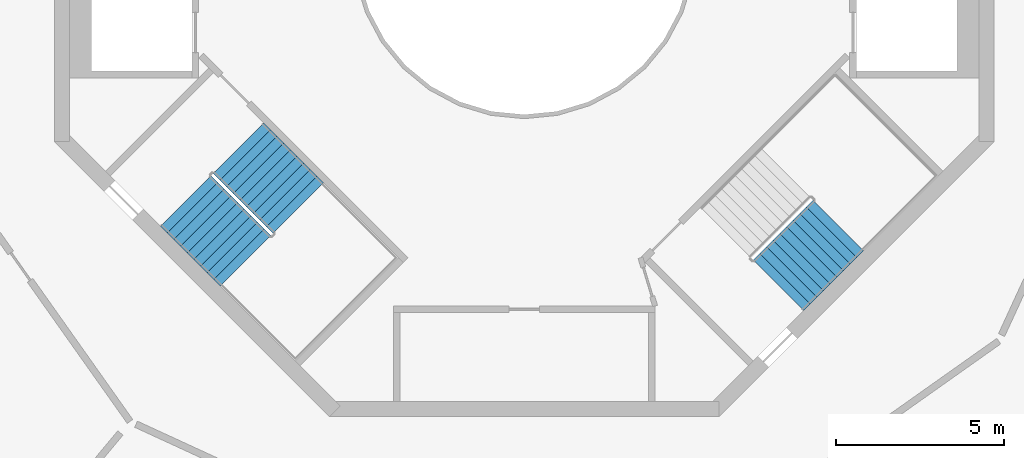
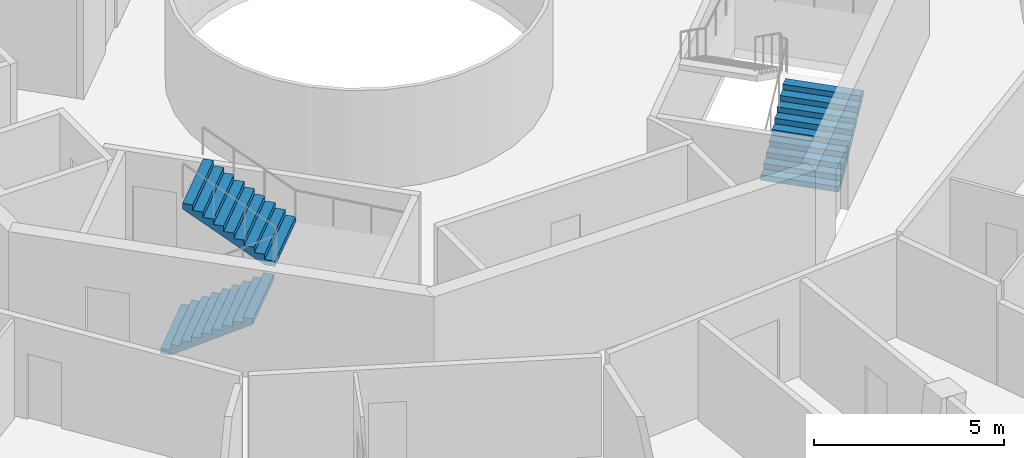
# One storey, part 23 of 25: 3 stair flights, 2 elements without a shape of their own.
"""IFC4 building model written with IfcOpenShell, lengths in metres."""

from ifc_helpers import new_model, si_unit, direction, frame, origin, place, context, subcontext, project, spatial, triangles, material, type_object, element, aggregate, save


model = new_model("IFC4")

# Units and contexts
model_context = context("Model", 3, precision=1e-05, world=origin(), true_north=direction((0.0, 1.0)))
body_context = subcontext(model_context, "Body", "Model", "MODEL_VIEW")
ifc_project = project(units=[si_unit("LENGTHUNIT", "METRE"), si_unit("AREAUNIT", "SQUARE_METRE"), si_unit("VOLUMEUNIT", "CUBIC_METRE"), si_unit("PLANEANGLEUNIT", "RADIAN"), si_unit("MASSUNIT", "GRAM", prefix="KILO")], contexts=[model_context])

# Site, building, storey
site_placement = place(None, origin())
site = spatial("IfcSite", under=ifc_project, at=site_placement, CompositionType="ELEMENT")
building_placement = place(site_placement, origin())
building = spatial("IfcBuilding", under=site, at=building_placement, Name="Verdalira Terraces Hotel", CompositionType="ELEMENT")
storey_placement = place(building_placement, frame((0.0, 0.0, 299.5)))
storey = spatial("IfcBuildingStorey", under=building, at=storey_placement, Name="L74", CompositionType="ELEMENT", Elevation=299.5)

# Stair, stair flights
ifc_material_1 = material(Name="Concrete C40", Category="concrete")
stair_type = type_object("IfcStairType", Name="Core stair 20 risers 2125 mm wide", PredefinedType="HALF_TURN_STAIR", material=ifc_material_1)
stair_1_placement = place(storey_placement, origin())
stair_1 = element("IfcStair", 1, at=stair_1_placement, inside=storey, type_object=stair_type, Name="L74 Exit stair ST2", PredefinedType="HALF_TURN_STAIR")
ifc_material_2 = material(Name="Concrete C40", Category="concrete")
stair_flight_type = type_object("IfcStairFlightType", Name="Core stair flight 20 risers 2125 mm wide", PredefinedType="STRAIGHT", material=ifc_material_2)
stair_flight_1_placement = place(storey_placement, frame((-10.085205, -7.574951, 0.0), z_axis=(0.0, 0.0, 1.0), x_axis=(0.707106781, -0.707106781, 0.0)))
stair_flight_1 = element("IfcStairFlight", 2, at=stair_flight_1_placement, type_object=stair_flight_type, Name="ST2 flight 1", NumberOfRisers=10, NumberOfTreads=9, PredefinedType="STRAIGHT", RiserHeight=0.175, TreadLength=0.28, context=body_context, shape_type="Tessellation", body=[
    triangles([(0.0, 1.0625, 0.0), (0.282715, 1.0625, 0.0), (2.52002, 1.0625, 1.398193), (0.0, -1.0625, 0.0), (0.282715, -1.0625, 0.0), (2.52002, -1.0625, 1.398193), (2.52002, 1.0625, 1.574951), (2.23999, 1.0625, 1.574951), (2.52002, -1.0625, 1.574951), (2.23999, -1.0625, 1.574951), (2.23999, 1.0625, 1.399902), (2.23999, -1.0625, 1.399902), (1.959961, 1.0625, 1.399902), (1.959961, -1.0625, 1.399902), (1.959961, 1.0625, 1.225098), (1.959961, -1.0625, 1.225098), (1.679932, 1.0625, 1.225098), (1.679932, 1.0625, 1.050049), (1.679932, -1.0625, 1.225098), (1.679932, -1.0625, 1.050049), (1.399902, 1.0625, 1.050049), (1.399902, 1.0625, 0.875), (1.399902, -1.0625, 1.050049), (1.399902, -1.0625, 0.875), (1.120117, 1.0625, 0.875), (1.120117, 1.0625, 0.699951), (1.120117, -1.0625, 0.875), (1.120117, -1.0625, 0.699951), (0.840088, 1.0625, 0.699951), (0.840088, 1.0625, 0.524902), (0.840088, -1.0625, 0.699951), (0.840088, -1.0625, 0.524902), (0.560059, 1.0625, 0.524902), (0.560059, 1.0625, 0.350098), (0.560059, -1.0625, 0.524902), (0.560059, -1.0625, 0.350098), (0.280029, 1.0625, 0.350098), (0.280029, 1.0625, 0.175049), (0.280029, -1.0625, 0.350098), (0.280029, -1.0625, 0.175049), (0.0, 1.0625, 0.175049), (0.0, -1.0625, 0.175049), (0.0, -0.996094, 0.0), (0.0, -0.996094, 0.175049), (0.0, -0.929688, 0.0), (0.0, -0.929688, 0.175049), (0.0, -0.863281, 0.0), (0.0, -0.863281, 0.175049), (0.0, -0.796875, 0.0), (0.0, -0.796875, 0.175049), (0.0, -0.730469, 0.0), (0.0, -0.730469, 0.175049), (0.0, -0.664062, 0.0), (0.0, -0.664062, 0.175049), (0.0, -0.597656, 0.0), (0.0, -0.597656, 0.175049), (0.0, -0.53125, 0.0), (0.0, -0.53125, 0.175049), (0.0, -0.464844, 0.0), (0.0, -0.464844, 0.175049), (0.0, -0.398438, 0.0), (0.0, -0.398438, 0.175049), (0.0, -0.332031, 0.0), (0.0, -0.332031, 0.175049), (0.0, -0.265625, 0.0), (0.0, -0.265625, 0.175049), (0.0, -0.199219, 0.0), (0.0, -0.199219, 0.175049), (0.0, -0.132812, 0.0), (0.0, -0.132812, 0.175049), (0.0, -0.066406, 0.0), (0.0, -0.066406, 0.175049), (0.0, 0.0, 0.0), (0.0, 0.0, 0.175049), (0.0, 0.066406, 0.0), (0.0, 0.066406, 0.175049), (0.0, 0.132812, 0.0), (0.0, 0.132812, 0.175049), (0.0, 0.199219, 0.0), (0.0, 0.199219, 0.175049), (0.0, 0.265625, 0.0), (0.0, 0.265625, 0.175049), (0.0, 0.332031, 0.0), (0.0, 0.332031, 0.175049), (0.0, 0.398438, 0.0), (0.0, 0.398438, 0.175049), (0.0, 0.464844, 0.0), (0.0, 0.464844, 0.175049), (0.0, 0.53125, 0.0), (0.0, 0.53125, 0.175049), (0.0, 0.597656, 0.0), (0.0, 0.597656, 0.175049), (0.0, 0.664062, 0.0), (0.0, 0.664062, 0.175049), (0.0, 0.730469, 0.0), (0.0, 0.730469, 0.175049), (0.0, 0.796875, 0.0), (0.0, 0.796875, 0.175049), (0.0, 0.863281, 0.0), (0.0, 0.863281, 0.175049), (0.0, 0.929688, 0.0), (0.0, 0.929688, 0.175049), (0.0, 0.996094, 0.0), (0.0, 0.996094, 0.175049), (2.52002, -0.996094, 1.574951), (2.52002, -0.929688, 1.574951), (2.52002, -0.863281, 1.574951), (2.52002, -0.796875, 1.574951), (2.52002, -0.730469, 1.574951), (2.52002, -0.664062, 1.574951), (2.52002, -0.597656, 1.574951), (2.52002, -0.53125, 1.574951), (2.52002, -0.464844, 1.574951), (2.52002, -0.398438, 1.574951), (2.52002, -0.332031, 1.574951), (2.52002, -0.265625, 1.574951), (2.52002, -0.199219, 1.574951), (2.52002, -0.132812, 1.574951), (2.52002, -0.066406, 1.574951), (2.52002, 0.0, 1.574951), (2.52002, 0.066406, 1.574951), (2.52002, 0.132812, 1.574951), (2.52002, 0.199219, 1.574951), (2.52002, 0.265625, 1.574951), (2.52002, 0.332031, 1.574951), (2.52002, 0.398438, 1.574951), (2.52002, 0.464844, 1.574951), (2.52002, 0.53125, 1.574951), (2.52002, 0.597656, 1.574951), (2.52002, 0.664062, 1.574951), (2.52002, 0.730469, 1.574951), (2.52002, 0.796875, 1.574951), (2.52002, 0.863281, 1.574951), (2.52002, 0.929688, 1.574951), (2.52002, 0.996094, 1.574951), (2.52002, -0.996094, 1.398193), (2.52002, -0.929688, 1.398193), (2.52002, -0.863281, 1.398193), (2.52002, -0.796875, 1.398193), (2.52002, -0.730469, 1.398193), (2.52002, -0.664062, 1.398193), (2.52002, -0.597656, 1.398193), (2.52002, -0.53125, 1.398193), (2.52002, -0.464844, 1.398193), (2.52002, -0.398438, 1.398193), (2.52002, -0.332031, 1.398193), (2.52002, -0.265625, 1.398193), (2.52002, -0.199219, 1.398193), (2.52002, -0.132812, 1.398193), (2.52002, -0.066406, 1.398193), (2.52002, 0.0, 1.398193), (2.52002, 0.066406, 1.398193), (2.52002, 0.132812, 1.398193), (2.52002, 0.199219, 1.398193), (2.52002, 0.265625, 1.398193), (2.52002, 0.332031, 1.398193), (2.52002, 0.398438, 1.398193), (2.52002, 0.464844, 1.398193), (2.52002, 0.53125, 1.398193), (2.52002, 0.597656, 1.398193), (2.52002, 0.664062, 1.398193), (2.52002, 0.730469, 1.398193), (2.52002, 0.796875, 1.398193), (2.52002, 0.863281, 1.398193), (2.52002, 0.929688, 1.398193), (2.52002, 0.996094, 1.398193)], [[1, 3, 2], [4, 5, 6], [3, 8, 7], [6, 9, 10], [3, 11, 8], [6, 10, 12], [3, 13, 11], [6, 12, 14], [3, 15, 13], [6, 14, 16], [15, 18, 17], [16, 19, 20], [3, 18, 15], [6, 16, 20], [18, 22, 21], [20, 23, 24], [3, 22, 18], [6, 20, 24], [22, 26, 25], [24, 27, 28], [3, 26, 22], [6, 24, 28], [26, 30, 29], [28, 31, 32], [3, 30, 26], [6, 28, 32], [1, 30, 3], [4, 6, 32], [30, 34, 33], [32, 35, 36], [34, 38, 37], [36, 39, 40], [30, 38, 34], [32, 36, 40], [1, 38, 30], [4, 32, 40], [38, 1, 41], [40, 42, 4], [4, 44, 43], [4, 42, 44], [43, 46, 45], [43, 44, 46], [45, 48, 47], [45, 46, 48], [47, 50, 49], [47, 48, 50], [49, 52, 51], [49, 50, 52], [51, 54, 53], [51, 52, 54], [53, 56, 55], [53, 54, 56], [55, 58, 57], [55, 56, 58], [57, 60, 59], [57, 58, 60], [59, 62, 61], [59, 60, 62], [61, 64, 63], [61, 62, 64], [63, 66, 65], [63, 64, 66], [65, 68, 67], [65, 66, 68], [67, 70, 69], [67, 68, 70], [69, 72, 71], [69, 70, 72], [71, 74, 73], [71, 72, 74], [73, 76, 75], [73, 74, 76], [75, 78, 77], [75, 76, 78], [77, 80, 79], [77, 78, 80], [79, 82, 81], [79, 80, 82], [81, 84, 83], [81, 82, 84], [83, 86, 85], [83, 84, 86], [85, 88, 87], [85, 86, 88], [87, 90, 89], [87, 88, 90], [89, 92, 91], [89, 90, 92], [91, 94, 93], [91, 92, 94], [93, 96, 95], [93, 94, 96], [95, 98, 97], [95, 96, 98], [97, 100, 99], [97, 98, 100], [99, 102, 101], [99, 100, 102], [101, 104, 103], [101, 102, 104], [103, 41, 1], [103, 104, 41], [42, 40, 44], [44, 40, 46], [46, 40, 48], [48, 40, 50], [50, 40, 52], [52, 40, 54], [54, 40, 56], [56, 40, 58], [58, 40, 60], [60, 40, 62], [62, 40, 64], [64, 40, 66], [66, 40, 68], [68, 40, 70], [70, 40, 72], [72, 40, 74], [74, 40, 76], [76, 40, 78], [78, 40, 80], [80, 40, 82], [82, 40, 84], [84, 40, 86], [86, 40, 88], [88, 40, 90], [90, 40, 92], [92, 40, 94], [94, 40, 96], [96, 40, 98], [98, 40, 100], [100, 40, 102], [102, 40, 104], [104, 40, 41], [41, 40, 38], [40, 37, 38], [40, 39, 37], [39, 34, 37], [39, 36, 34], [36, 33, 34], [36, 35, 33], [35, 30, 33], [35, 32, 30], [32, 29, 30], [32, 31, 29], [31, 26, 29], [31, 28, 26], [28, 25, 26], [28, 27, 25], [27, 22, 25], [27, 24, 22], [24, 21, 22], [24, 23, 21], [23, 18, 21], [23, 20, 18], [20, 17, 18], [20, 19, 17], [19, 15, 17], [19, 16, 15], [16, 13, 15], [16, 14, 13], [14, 11, 13], [14, 12, 11], [12, 8, 11], [12, 10, 8], [9, 105, 10], [105, 106, 10], [106, 107, 10], [107, 108, 10], [108, 109, 10], [109, 110, 10], [110, 111, 10], [111, 112, 10], [112, 113, 10], [113, 114, 10], [114, 115, 10], [115, 116, 10], [116, 117, 10], [117, 118, 10], [118, 119, 10], [119, 120, 10], [120, 121, 10], [121, 122, 10], [122, 123, 10], [123, 124, 10], [124, 125, 10], [125, 126, 10], [126, 127, 10], [127, 128, 10], [128, 129, 10], [129, 130, 10], [130, 131, 10], [131, 132, 10], [132, 133, 10], [133, 134, 10], [134, 135, 10], [135, 7, 10], [7, 8, 10], [9, 136, 105], [9, 6, 136], [105, 137, 106], [105, 136, 137], [106, 138, 107], [106, 137, 138], [107, 139, 108], [107, 138, 139], [108, 140, 109], [108, 139, 140], [109, 141, 110], [109, 140, 141], [110, 142, 111], [110, 141, 142], [111, 143, 112], [111, 142, 143], [112, 144, 113], [112, 143, 144], [113, 145, 114], [113, 144, 145], [114, 146, 115], [114, 145, 146], [115, 147, 116], [115, 146, 147], [116, 148, 117], [116, 147, 148], [117, 149, 118], [117, 148, 149], [118, 150, 119], [118, 149, 150], [119, 151, 120], [119, 150, 151], [120, 152, 121], [120, 151, 152], [121, 153, 122], [121, 152, 153], [122, 154, 123], [122, 153, 154], [123, 155, 124], [123, 154, 155], [124, 156, 125], [124, 155, 156], [125, 157, 126], [125, 156, 157], [126, 158, 127], [126, 157, 158], [127, 159, 128], [127, 158, 159], [128, 160, 129], [128, 159, 160], [129, 161, 130], [129, 160, 161], [130, 162, 131], [130, 161, 162], [131, 163, 132], [131, 162, 163], [132, 164, 133], [132, 163, 164], [133, 165, 134], [133, 164, 165], [134, 166, 135], [134, 165, 166], [135, 3, 7], [135, 166, 3], [6, 5, 136], [136, 5, 137], [137, 5, 138], [138, 5, 139], [139, 5, 140], [140, 5, 141], [141, 5, 142], [142, 5, 143], [143, 5, 144], [144, 5, 145], [145, 5, 146], [146, 5, 147], [147, 5, 148], [148, 5, 149], [149, 5, 150], [150, 5, 151], [151, 5, 152], [152, 5, 153], [153, 5, 154], [154, 5, 155], [155, 5, 156], [156, 5, 157], [157, 5, 158], [158, 5, 159], [159, 5, 160], [160, 5, 161], [161, 5, 162], [162, 5, 163], [163, 5, 164], [164, 5, 165], [165, 5, 166], [166, 5, 3], [3, 5, 2], [4, 43, 5], [43, 45, 5], [45, 47, 5], [47, 49, 5], [49, 51, 5], [51, 53, 5], [53, 55, 5], [55, 57, 5], [57, 59, 5], [59, 61, 5], [61, 63, 5], [63, 65, 5], [65, 67, 5], [67, 69, 5], [69, 71, 5], [71, 73, 5], [73, 75, 5], [75, 77, 5], [77, 79, 5], [79, 81, 5], [81, 83, 5], [83, 85, 5], [85, 87, 5], [87, 89, 5], [89, 91, 5], [91, 93, 5], [93, 95, 5], [95, 97, 5], [97, 99, 5], [99, 101, 5], [101, 103, 5], [103, 1, 5], [1, 2, 5]], closed=True),
])
stair_flight_2_placement = place(storey_placement, frame((-6.72998, -7.783447, 1.75), z_axis=(0.0, 0.0, 1.0), x_axis=(-0.707106781, 0.707106781, 0.0)))
stair_flight_2 = element("IfcStairFlight", 3, at=stair_flight_2_placement, type_object=stair_flight_type, Name="ST2 flight 2", NumberOfRisers=10, NumberOfTreads=9, PredefinedType="STRAIGHT", RiserHeight=0.175, TreadLength=0.28, context=body_context, shape_type="Tessellation", body=[
    triangles([(0.0, 1.0625, 0.0), (0.282715, 1.0625, 0.0), (2.52002, 1.0625, 1.398193), (0.0, -1.0625, 0.0), (0.282715, -1.0625, 0.0), (2.52002, -1.0625, 1.398193), (2.52002, 1.0625, 1.574951), (2.23999, 1.0625, 1.574951), (2.52002, -1.0625, 1.574951), (2.23999, -1.0625, 1.574951), (2.23999, 1.0625, 1.399902), (2.23999, -1.0625, 1.399902), (1.959961, 1.0625, 1.399902), (1.959961, -1.0625, 1.399902), (1.959961, 1.0625, 1.225098), (1.959961, -1.0625, 1.225098), (1.679932, 1.0625, 1.225098), (1.679932, 1.0625, 1.050049), (1.679932, -1.0625, 1.225098), (1.679932, -1.0625, 1.050049), (1.399902, 1.0625, 1.050049), (1.399902, 1.0625, 0.875), (1.399902, -1.0625, 1.050049), (1.399902, -1.0625, 0.875), (1.120117, 1.0625, 0.875), (1.120117, 1.0625, 0.699951), (1.120117, -1.0625, 0.875), (1.120117, -1.0625, 0.699951), (0.840088, 1.0625, 0.699951), (0.840088, 1.0625, 0.524902), (0.840088, -1.0625, 0.699951), (0.840088, -1.0625, 0.524902), (0.560059, 1.0625, 0.524902), (0.560059, 1.0625, 0.350098), (0.560059, -1.0625, 0.524902), (0.560059, -1.0625, 0.350098), (0.280029, 1.0625, 0.350098), (0.280029, 1.0625, 0.175049), (0.280029, -1.0625, 0.350098), (0.280029, -1.0625, 0.175049), (0.0, 1.0625, 0.175049), (0.0, -1.0625, 0.175049), (0.0, -0.996094, 0.0), (0.0, -0.996094, 0.175049), (0.0, -0.929688, 0.0), (0.0, -0.929688, 0.175049), (0.0, -0.863281, 0.0), (0.0, -0.863281, 0.175049), (0.0, -0.796875, 0.0), (0.0, -0.796875, 0.175049), (0.0, -0.730469, 0.0), (0.0, -0.730469, 0.175049), (0.0, -0.664062, 0.0), (0.0, -0.664062, 0.175049), (0.0, -0.597656, 0.0), (0.0, -0.597656, 0.175049), (0.0, -0.53125, 0.0), (0.0, -0.53125, 0.175049), (0.0, -0.464844, 0.0), (0.0, -0.464844, 0.175049), (0.0, -0.398438, 0.0), (0.0, -0.398438, 0.175049), (0.0, -0.332031, 0.0), (0.0, -0.332031, 0.175049), (0.0, -0.265625, 0.0), (0.0, -0.265625, 0.175049), (0.0, -0.199219, 0.0), (0.0, -0.199219, 0.175049), (0.0, -0.132812, 0.0), (0.0, -0.132812, 0.175049), (0.0, -0.066406, 0.0), (0.0, -0.066406, 0.175049), (0.0, 0.0, 0.0), (0.0, 0.0, 0.175049), (0.0, 0.066406, 0.0), (0.0, 0.066406, 0.175049), (0.0, 0.132812, 0.0), (0.0, 0.132812, 0.175049), (0.0, 0.199219, 0.0), (0.0, 0.199219, 0.175049), (0.0, 0.265625, 0.0), (0.0, 0.265625, 0.175049), (0.0, 0.332031, 0.0), (0.0, 0.332031, 0.175049), (0.0, 0.398438, 0.0), (0.0, 0.398438, 0.175049), (0.0, 0.464844, 0.0), (0.0, 0.464844, 0.175049), (0.0, 0.53125, 0.0), (0.0, 0.53125, 0.175049), (0.0, 0.597656, 0.0), (0.0, 0.597656, 0.175049), (0.0, 0.664062, 0.0), (0.0, 0.664062, 0.175049), (0.0, 0.730469, 0.0), (0.0, 0.730469, 0.175049), (0.0, 0.796875, 0.0), (0.0, 0.796875, 0.175049), (0.0, 0.863281, 0.0), (0.0, 0.863281, 0.175049), (0.0, 0.929688, 0.0), (0.0, 0.929688, 0.175049), (0.0, 0.996094, 0.0), (0.0, 0.996094, 0.175049), (2.52002, -0.996094, 1.574951), (2.52002, -0.929688, 1.574951), (2.52002, -0.863281, 1.574951), (2.52002, -0.796875, 1.574951), (2.52002, -0.730469, 1.574951), (2.52002, -0.664062, 1.574951), (2.52002, -0.597656, 1.574951), (2.52002, -0.53125, 1.574951), (2.52002, -0.464844, 1.574951), (2.52002, -0.398438, 1.574951), (2.52002, -0.332031, 1.574951), (2.52002, -0.265625, 1.574951), (2.52002, -0.199219, 1.574951), (2.52002, -0.132812, 1.574951), (2.52002, -0.066406, 1.574951), (2.52002, 0.0, 1.574951), (2.52002, 0.066406, 1.574951), (2.52002, 0.132812, 1.574951), (2.52002, 0.199219, 1.574951), (2.52002, 0.265625, 1.574951), (2.52002, 0.332031, 1.574951), (2.52002, 0.398438, 1.574951), (2.52002, 0.464844, 1.574951), (2.52002, 0.53125, 1.574951), (2.52002, 0.597656, 1.574951), (2.52002, 0.664062, 1.574951), (2.52002, 0.730469, 1.574951), (2.52002, 0.796875, 1.574951), (2.52002, 0.863281, 1.574951), (2.52002, 0.929688, 1.574951), (2.52002, 0.996094, 1.574951), (2.52002, -0.996094, 1.398193), (2.52002, -0.929688, 1.398193), (2.52002, -0.863281, 1.398193), (2.52002, -0.796875, 1.398193), (2.52002, -0.730469, 1.398193), (2.52002, -0.664062, 1.398193), (2.52002, -0.597656, 1.398193), (2.52002, -0.53125, 1.398193), (2.52002, -0.464844, 1.398193), (2.52002, -0.398438, 1.398193), (2.52002, -0.332031, 1.398193), (2.52002, -0.265625, 1.398193), (2.52002, -0.199219, 1.398193), (2.52002, -0.132812, 1.398193), (2.52002, -0.066406, 1.398193), (2.52002, 0.0, 1.398193), (2.52002, 0.066406, 1.398193), (2.52002, 0.132812, 1.398193), (2.52002, 0.199219, 1.398193), (2.52002, 0.265625, 1.398193), (2.52002, 0.332031, 1.398193), (2.52002, 0.398438, 1.398193), (2.52002, 0.464844, 1.398193), (2.52002, 0.53125, 1.398193), (2.52002, 0.597656, 1.398193), (2.52002, 0.664062, 1.398193), (2.52002, 0.730469, 1.398193), (2.52002, 0.796875, 1.398193), (2.52002, 0.863281, 1.398193), (2.52002, 0.929688, 1.398193), (2.52002, 0.996094, 1.398193)], [[1, 3, 2], [4, 5, 6], [3, 8, 7], [6, 9, 10], [3, 11, 8], [6, 10, 12], [3, 13, 11], [6, 12, 14], [3, 15, 13], [6, 14, 16], [15, 18, 17], [16, 19, 20], [3, 18, 15], [6, 16, 20], [18, 22, 21], [20, 23, 24], [3, 22, 18], [6, 20, 24], [22, 26, 25], [24, 27, 28], [3, 26, 22], [6, 24, 28], [26, 30, 29], [28, 31, 32], [3, 30, 26], [6, 28, 32], [1, 30, 3], [4, 6, 32], [30, 34, 33], [32, 35, 36], [34, 38, 37], [36, 39, 40], [30, 38, 34], [32, 36, 40], [1, 38, 30], [4, 32, 40], [38, 1, 41], [40, 42, 4], [4, 44, 43], [4, 42, 44], [43, 46, 45], [43, 44, 46], [45, 48, 47], [45, 46, 48], [47, 50, 49], [47, 48, 50], [49, 52, 51], [49, 50, 52], [51, 54, 53], [51, 52, 54], [53, 56, 55], [53, 54, 56], [55, 58, 57], [55, 56, 58], [57, 60, 59], [57, 58, 60], [59, 62, 61], [59, 60, 62], [61, 64, 63], [61, 62, 64], [63, 66, 65], [63, 64, 66], [65, 68, 67], [65, 66, 68], [67, 70, 69], [67, 68, 70], [69, 72, 71], [69, 70, 72], [71, 74, 73], [71, 72, 74], [73, 76, 75], [73, 74, 76], [75, 78, 77], [75, 76, 78], [77, 80, 79], [77, 78, 80], [79, 82, 81], [79, 80, 82], [81, 84, 83], [81, 82, 84], [83, 86, 85], [83, 84, 86], [85, 88, 87], [85, 86, 88], [87, 90, 89], [87, 88, 90], [89, 92, 91], [89, 90, 92], [91, 94, 93], [91, 92, 94], [93, 96, 95], [93, 94, 96], [95, 98, 97], [95, 96, 98], [97, 100, 99], [97, 98, 100], [99, 102, 101], [99, 100, 102], [101, 104, 103], [101, 102, 104], [103, 41, 1], [103, 104, 41], [42, 40, 44], [44, 40, 46], [46, 40, 48], [48, 40, 50], [50, 40, 52], [52, 40, 54], [54, 40, 56], [56, 40, 58], [58, 40, 60], [60, 40, 62], [62, 40, 64], [64, 40, 66], [66, 40, 68], [68, 40, 70], [70, 40, 72], [72, 40, 74], [74, 40, 76], [76, 40, 78], [78, 40, 80], [80, 40, 82], [82, 40, 84], [84, 40, 86], [86, 40, 88], [88, 40, 90], [90, 40, 92], [92, 40, 94], [94, 40, 96], [96, 40, 98], [98, 40, 100], [100, 40, 102], [102, 40, 104], [104, 40, 41], [41, 40, 38], [40, 37, 38], [40, 39, 37], [39, 34, 37], [39, 36, 34], [36, 33, 34], [36, 35, 33], [35, 30, 33], [35, 32, 30], [32, 29, 30], [32, 31, 29], [31, 26, 29], [31, 28, 26], [28, 25, 26], [28, 27, 25], [27, 22, 25], [27, 24, 22], [24, 21, 22], [24, 23, 21], [23, 18, 21], [23, 20, 18], [20, 17, 18], [20, 19, 17], [19, 15, 17], [19, 16, 15], [16, 13, 15], [16, 14, 13], [14, 11, 13], [14, 12, 11], [12, 8, 11], [12, 10, 8], [9, 105, 10], [105, 106, 10], [106, 107, 10], [107, 108, 10], [108, 109, 10], [109, 110, 10], [110, 111, 10], [111, 112, 10], [112, 113, 10], [113, 114, 10], [114, 115, 10], [115, 116, 10], [116, 117, 10], [117, 118, 10], [118, 119, 10], [119, 120, 10], [120, 121, 10], [121, 122, 10], [122, 123, 10], [123, 124, 10], [124, 125, 10], [125, 126, 10], [126, 127, 10], [127, 128, 10], [128, 129, 10], [129, 130, 10], [130, 131, 10], [131, 132, 10], [132, 133, 10], [133, 134, 10], [134, 135, 10], [135, 7, 10], [7, 8, 10], [9, 136, 105], [9, 6, 136], [105, 137, 106], [105, 136, 137], [106, 138, 107], [106, 137, 138], [107, 139, 108], [107, 138, 139], [108, 140, 109], [108, 139, 140], [109, 141, 110], [109, 140, 141], [110, 142, 111], [110, 141, 142], [111, 143, 112], [111, 142, 143], [112, 144, 113], [112, 143, 144], [113, 145, 114], [113, 144, 145], [114, 146, 115], [114, 145, 146], [115, 147, 116], [115, 146, 147], [116, 148, 117], [116, 147, 148], [117, 149, 118], [117, 148, 149], [118, 150, 119], [118, 149, 150], [119, 151, 120], [119, 150, 151], [120, 152, 121], [120, 151, 152], [121, 153, 122], [121, 152, 153], [122, 154, 123], [122, 153, 154], [123, 155, 124], [123, 154, 155], [124, 156, 125], [124, 155, 156], [125, 157, 126], [125, 156, 157], [126, 158, 127], [126, 157, 158], [127, 159, 128], [127, 158, 159], [128, 160, 129], [128, 159, 160], [129, 161, 130], [129, 160, 161], [130, 162, 131], [130, 161, 162], [131, 163, 132], [131, 162, 163], [132, 164, 133], [132, 163, 164], [133, 165, 134], [133, 164, 165], [134, 166, 135], [134, 165, 166], [135, 3, 7], [135, 166, 3], [6, 5, 136], [136, 5, 137], [137, 5, 138], [138, 5, 139], [139, 5, 140], [140, 5, 141], [141, 5, 142], [142, 5, 143], [143, 5, 144], [144, 5, 145], [145, 5, 146], [146, 5, 147], [147, 5, 148], [148, 5, 149], [149, 5, 150], [150, 5, 151], [151, 5, 152], [152, 5, 153], [153, 5, 154], [154, 5, 155], [155, 5, 156], [156, 5, 157], [157, 5, 158], [158, 5, 159], [159, 5, 160], [160, 5, 161], [161, 5, 162], [162, 5, 163], [163, 5, 164], [164, 5, 165], [165, 5, 166], [166, 5, 3], [3, 5, 2], [4, 43, 5], [43, 45, 5], [45, 47, 5], [47, 49, 5], [49, 51, 5], [51, 53, 5], [53, 55, 5], [55, 57, 5], [57, 59, 5], [59, 61, 5], [61, 63, 5], [63, 65, 5], [65, 67, 5], [67, 69, 5], [69, 71, 5], [71, 73, 5], [73, 75, 5], [75, 77, 5], [77, 79, 5], [79, 81, 5], [81, 83, 5], [83, 85, 5], [85, 87, 5], [87, 89, 5], [89, 91, 5], [91, 93, 5], [93, 95, 5], [95, 97, 5], [97, 99, 5], [99, 101, 5], [101, 103, 5], [103, 1, 5], [1, 2, 5]], closed=True),
])
aggregate(stair_1, [stair_flight_1, stair_flight_2])

# Stair, stair flight
stair_2_placement = place(storey_placement, origin())
stair_2 = element("IfcStair", 4, at=stair_2_placement, inside=storey, type_object=stair_type, Name="L74 Exit stair ST3", PredefinedType="HALF_TURN_STAIR")
stair_flight_3_placement = place(storey_placement, frame((7.574951, -10.085205, 0.0), z_axis=(0.0, 0.0, 1.0), x_axis=(0.707106781, 0.707106781, 0.0)))
stair_flight_3 = element("IfcStairFlight", 5, at=stair_flight_3_placement, type_object=stair_flight_type, Name="ST3 flight 1", NumberOfRisers=10, NumberOfTreads=9, PredefinedType="STRAIGHT", RiserHeight=0.175, TreadLength=0.28, context=body_context, shape_type="Tessellation", body=[
    triangles([(0.0, 1.0625, 0.0), (0.282715, 1.0625, 0.0), (2.52002, 1.0625, 1.398193), (0.0, -1.0625, 0.0), (0.282715, -1.0625, 0.0), (2.52002, -1.0625, 1.398193), (2.52002, 1.0625, 1.574951), (2.23999, 1.0625, 1.574951), (2.52002, -1.0625, 1.574951), (2.23999, -1.0625, 1.574951), (2.23999, 1.0625, 1.399902), (2.23999, -1.0625, 1.399902), (1.959961, 1.0625, 1.399902), (1.959961, -1.0625, 1.399902), (1.959961, 1.0625, 1.225098), (1.959961, -1.0625, 1.225098), (1.679932, 1.0625, 1.225098), (1.679932, 1.0625, 1.050049), (1.679932, -1.0625, 1.225098), (1.679932, -1.0625, 1.050049), (1.399902, 1.0625, 1.050049), (1.399902, 1.0625, 0.875), (1.399902, -1.0625, 1.050049), (1.399902, -1.0625, 0.875), (1.120117, 1.0625, 0.875), (1.120117, 1.0625, 0.699951), (1.120117, -1.0625, 0.875), (1.120117, -1.0625, 0.699951), (0.840088, 1.0625, 0.699951), (0.840088, 1.0625, 0.524902), (0.840088, -1.0625, 0.699951), (0.840088, -1.0625, 0.524902), (0.560059, 1.0625, 0.524902), (0.560059, 1.0625, 0.350098), (0.560059, -1.0625, 0.524902), (0.560059, -1.0625, 0.350098), (0.280029, 1.0625, 0.350098), (0.280029, 1.0625, 0.175049), (0.280029, -1.0625, 0.350098), (0.280029, -1.0625, 0.175049), (0.0, 1.0625, 0.175049), (0.0, -1.0625, 0.175049), (0.0, -0.996094, 0.0), (0.0, -0.996094, 0.175049), (0.0, -0.929688, 0.0), (0.0, -0.929688, 0.175049), (0.0, -0.863281, 0.0), (0.0, -0.863281, 0.175049), (0.0, -0.796875, 0.0), (0.0, -0.796875, 0.175049), (0.0, -0.730469, 0.0), (0.0, -0.730469, 0.175049), (0.0, -0.664062, 0.0), (0.0, -0.664062, 0.175049), (0.0, -0.597656, 0.0), (0.0, -0.597656, 0.175049), (0.0, -0.53125, 0.0), (0.0, -0.53125, 0.175049), (0.0, -0.464844, 0.0), (0.0, -0.464844, 0.175049), (0.0, -0.398438, 0.0), (0.0, -0.398438, 0.175049), (0.0, -0.332031, 0.0), (0.0, -0.332031, 0.175049), (0.0, -0.265625, 0.0), (0.0, -0.265625, 0.175049), (0.0, -0.199219, 0.0), (0.0, -0.199219, 0.175049), (0.0, -0.132812, 0.0), (0.0, -0.132812, 0.175049), (0.0, -0.066406, 0.0), (0.0, -0.066406, 0.175049), (0.0, 0.0, 0.0), (0.0, 0.0, 0.175049), (0.0, 0.066406, 0.0), (0.0, 0.066406, 0.175049), (0.0, 0.132812, 0.0), (0.0, 0.132812, 0.175049), (0.0, 0.199219, 0.0), (0.0, 0.199219, 0.175049), (0.0, 0.265625, 0.0), (0.0, 0.265625, 0.175049), (0.0, 0.332031, 0.0), (0.0, 0.332031, 0.175049), (0.0, 0.398438, 0.0), (0.0, 0.398438, 0.175049), (0.0, 0.464844, 0.0), (0.0, 0.464844, 0.175049), (0.0, 0.53125, 0.0), (0.0, 0.53125, 0.175049), (0.0, 0.597656, 0.0), (0.0, 0.597656, 0.175049), (0.0, 0.664062, 0.0), (0.0, 0.664062, 0.175049), (0.0, 0.730469, 0.0), (0.0, 0.730469, 0.175049), (0.0, 0.796875, 0.0), (0.0, 0.796875, 0.175049), (0.0, 0.863281, 0.0), (0.0, 0.863281, 0.175049), (0.0, 0.929688, 0.0), (0.0, 0.929688, 0.175049), (0.0, 0.996094, 0.0), (0.0, 0.996094, 0.175049), (2.52002, -0.996094, 1.574951), (2.52002, -0.929688, 1.574951), (2.52002, -0.863281, 1.574951), (2.52002, -0.796875, 1.574951), (2.52002, -0.730469, 1.574951), (2.52002, -0.664062, 1.574951), (2.52002, -0.597656, 1.574951), (2.52002, -0.53125, 1.574951), (2.52002, -0.464844, 1.574951), (2.52002, -0.398438, 1.574951), (2.52002, -0.332031, 1.574951), (2.52002, -0.265625, 1.574951), (2.52002, -0.199219, 1.574951), (2.52002, -0.132812, 1.574951), (2.52002, -0.066406, 1.574951), (2.52002, 0.0, 1.574951), (2.52002, 0.066406, 1.574951), (2.52002, 0.132812, 1.574951), (2.52002, 0.199219, 1.574951), (2.52002, 0.265625, 1.574951), (2.52002, 0.332031, 1.574951), (2.52002, 0.398438, 1.574951), (2.52002, 0.464844, 1.574951), (2.52002, 0.53125, 1.574951), (2.52002, 0.597656, 1.574951), (2.52002, 0.664062, 1.574951), (2.52002, 0.730469, 1.574951), (2.52002, 0.796875, 1.574951), (2.52002, 0.863281, 1.574951), (2.52002, 0.929688, 1.574951), (2.52002, 0.996094, 1.574951), (2.52002, -0.996094, 1.398193), (2.52002, -0.929688, 1.398193), (2.52002, -0.863281, 1.398193), (2.52002, -0.796875, 1.398193), (2.52002, -0.730469, 1.398193), (2.52002, -0.664062, 1.398193), (2.52002, -0.597656, 1.398193), (2.52002, -0.53125, 1.398193), (2.52002, -0.464844, 1.398193), (2.52002, -0.398438, 1.398193), (2.52002, -0.332031, 1.398193), (2.52002, -0.265625, 1.398193), (2.52002, -0.199219, 1.398193), (2.52002, -0.132812, 1.398193), (2.52002, -0.066406, 1.398193), (2.52002, 0.0, 1.398193), (2.52002, 0.066406, 1.398193), (2.52002, 0.132812, 1.398193), (2.52002, 0.199219, 1.398193), (2.52002, 0.265625, 1.398193), (2.52002, 0.332031, 1.398193), (2.52002, 0.398438, 1.398193), (2.52002, 0.464844, 1.398193), (2.52002, 0.53125, 1.398193), (2.52002, 0.597656, 1.398193), (2.52002, 0.664062, 1.398193), (2.52002, 0.730469, 1.398193), (2.52002, 0.796875, 1.398193), (2.52002, 0.863281, 1.398193), (2.52002, 0.929688, 1.398193), (2.52002, 0.996094, 1.398193)], [[1, 3, 2], [4, 5, 6], [3, 8, 7], [6, 9, 10], [3, 11, 8], [6, 10, 12], [3, 13, 11], [6, 12, 14], [3, 15, 13], [6, 14, 16], [15, 18, 17], [16, 19, 20], [3, 18, 15], [6, 16, 20], [18, 22, 21], [20, 23, 24], [3, 22, 18], [6, 20, 24], [22, 26, 25], [24, 27, 28], [3, 26, 22], [6, 24, 28], [26, 30, 29], [28, 31, 32], [3, 30, 26], [6, 28, 32], [1, 30, 3], [4, 6, 32], [30, 34, 33], [32, 35, 36], [34, 38, 37], [36, 39, 40], [30, 38, 34], [32, 36, 40], [1, 38, 30], [4, 32, 40], [38, 1, 41], [40, 42, 4], [4, 44, 43], [4, 42, 44], [43, 46, 45], [43, 44, 46], [45, 48, 47], [45, 46, 48], [47, 50, 49], [47, 48, 50], [49, 52, 51], [49, 50, 52], [51, 54, 53], [51, 52, 54], [53, 56, 55], [53, 54, 56], [55, 58, 57], [55, 56, 58], [57, 60, 59], [57, 58, 60], [59, 62, 61], [59, 60, 62], [61, 64, 63], [61, 62, 64], [63, 66, 65], [63, 64, 66], [65, 68, 67], [65, 66, 68], [67, 70, 69], [67, 68, 70], [69, 72, 71], [69, 70, 72], [71, 74, 73], [71, 72, 74], [73, 76, 75], [73, 74, 76], [75, 78, 77], [75, 76, 78], [77, 80, 79], [77, 78, 80], [79, 82, 81], [79, 80, 82], [81, 84, 83], [81, 82, 84], [83, 86, 85], [83, 84, 86], [85, 88, 87], [85, 86, 88], [87, 90, 89], [87, 88, 90], [89, 92, 91], [89, 90, 92], [91, 94, 93], [91, 92, 94], [93, 96, 95], [93, 94, 96], [95, 98, 97], [95, 96, 98], [97, 100, 99], [97, 98, 100], [99, 102, 101], [99, 100, 102], [101, 104, 103], [101, 102, 104], [103, 41, 1], [103, 104, 41], [42, 40, 44], [44, 40, 46], [46, 40, 48], [48, 40, 50], [50, 40, 52], [52, 40, 54], [54, 40, 56], [56, 40, 58], [58, 40, 60], [60, 40, 62], [62, 40, 64], [64, 40, 66], [66, 40, 68], [68, 40, 70], [70, 40, 72], [72, 40, 74], [74, 40, 76], [76, 40, 78], [78, 40, 80], [80, 40, 82], [82, 40, 84], [84, 40, 86], [86, 40, 88], [88, 40, 90], [90, 40, 92], [92, 40, 94], [94, 40, 96], [96, 40, 98], [98, 40, 100], [100, 40, 102], [102, 40, 104], [104, 40, 41], [41, 40, 38], [40, 37, 38], [40, 39, 37], [39, 34, 37], [39, 36, 34], [36, 33, 34], [36, 35, 33], [35, 30, 33], [35, 32, 30], [32, 29, 30], [32, 31, 29], [31, 26, 29], [31, 28, 26], [28, 25, 26], [28, 27, 25], [27, 22, 25], [27, 24, 22], [24, 21, 22], [24, 23, 21], [23, 18, 21], [23, 20, 18], [20, 17, 18], [20, 19, 17], [19, 15, 17], [19, 16, 15], [16, 13, 15], [16, 14, 13], [14, 11, 13], [14, 12, 11], [12, 8, 11], [12, 10, 8], [9, 105, 10], [105, 106, 10], [106, 107, 10], [107, 108, 10], [108, 109, 10], [109, 110, 10], [110, 111, 10], [111, 112, 10], [112, 113, 10], [113, 114, 10], [114, 115, 10], [115, 116, 10], [116, 117, 10], [117, 118, 10], [118, 119, 10], [119, 120, 10], [120, 121, 10], [121, 122, 10], [122, 123, 10], [123, 124, 10], [124, 125, 10], [125, 126, 10], [126, 127, 10], [127, 128, 10], [128, 129, 10], [129, 130, 10], [130, 131, 10], [131, 132, 10], [132, 133, 10], [133, 134, 10], [134, 135, 10], [135, 7, 10], [7, 8, 10], [9, 136, 105], [9, 6, 136], [105, 137, 106], [105, 136, 137], [106, 138, 107], [106, 137, 138], [107, 139, 108], [107, 138, 139], [108, 140, 109], [108, 139, 140], [109, 141, 110], [109, 140, 141], [110, 142, 111], [110, 141, 142], [111, 143, 112], [111, 142, 143], [112, 144, 113], [112, 143, 144], [113, 145, 114], [113, 144, 145], [114, 146, 115], [114, 145, 146], [115, 147, 116], [115, 146, 147], [116, 148, 117], [116, 147, 148], [117, 149, 118], [117, 148, 149], [118, 150, 119], [118, 149, 150], [119, 151, 120], [119, 150, 151], [120, 152, 121], [120, 151, 152], [121, 153, 122], [121, 152, 153], [122, 154, 123], [122, 153, 154], [123, 155, 124], [123, 154, 155], [124, 156, 125], [124, 155, 156], [125, 157, 126], [125, 156, 157], [126, 158, 127], [126, 157, 158], [127, 159, 128], [127, 158, 159], [128, 160, 129], [128, 159, 160], [129, 161, 130], [129, 160, 161], [130, 162, 131], [130, 161, 162], [131, 163, 132], [131, 162, 163], [132, 164, 133], [132, 163, 164], [133, 165, 134], [133, 164, 165], [134, 166, 135], [134, 165, 166], [135, 3, 7], [135, 166, 3], [6, 5, 136], [136, 5, 137], [137, 5, 138], [138, 5, 139], [139, 5, 140], [140, 5, 141], [141, 5, 142], [142, 5, 143], [143, 5, 144], [144, 5, 145], [145, 5, 146], [146, 5, 147], [147, 5, 148], [148, 5, 149], [149, 5, 150], [150, 5, 151], [151, 5, 152], [152, 5, 153], [153, 5, 154], [154, 5, 155], [155, 5, 156], [156, 5, 157], [157, 5, 158], [158, 5, 159], [159, 5, 160], [160, 5, 161], [161, 5, 162], [162, 5, 163], [163, 5, 164], [164, 5, 165], [165, 5, 166], [166, 5, 3], [3, 5, 2], [4, 43, 5], [43, 45, 5], [45, 47, 5], [47, 49, 5], [49, 51, 5], [51, 53, 5], [53, 55, 5], [55, 57, 5], [57, 59, 5], [59, 61, 5], [61, 63, 5], [63, 65, 5], [65, 67, 5], [67, 69, 5], [69, 71, 5], [71, 73, 5], [73, 75, 5], [75, 77, 5], [77, 79, 5], [79, 81, 5], [81, 83, 5], [83, 85, 5], [85, 87, 5], [87, 89, 5], [89, 91, 5], [91, 93, 5], [93, 95, 5], [95, 97, 5], [97, 99, 5], [99, 101, 5], [101, 103, 5], [103, 1, 5], [1, 2, 5]], closed=True),
])
aggregate(stair_2, [stair_flight_3])

save(model, "model.ifc")
